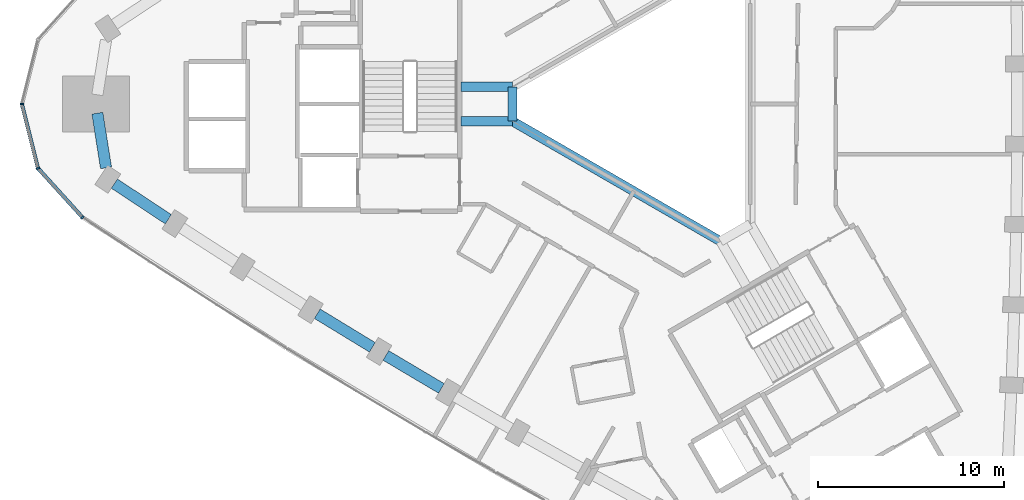
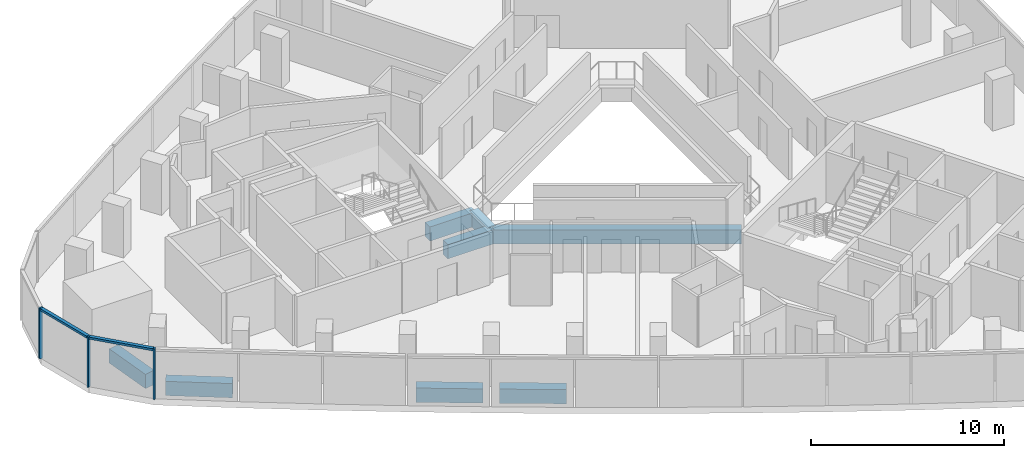
# One storey, part 2 of 12: 8 beams, 5 members, 2 elements without a shape of their own.
"""IFC4 building model written with IfcOpenShell, lengths in metres."""

from ifc_helpers import new_model, si_unit, direction, frame, origin, origin_2d, place, context, subcontext, project, spatial, rectangle, extrude, material, material_profile, profile_set, type_object, element, aggregate, save


model = new_model("IFC4")

# Units and contexts
model_context = context("Model", 3, precision=1e-05, world=origin(), true_north=direction((0.0, 1.0)))
body_context = subcontext(model_context, "Body", "Model", "MODEL_VIEW")
ifc_project = project(units=[si_unit("LENGTHUNIT", "METRE"), si_unit("AREAUNIT", "SQUARE_METRE"), si_unit("VOLUMEUNIT", "CUBIC_METRE"), si_unit("PLANEANGLEUNIT", "RADIAN"), si_unit("MASSUNIT", "GRAM", prefix="KILO")], contexts=[model_context])

# Site, building, storey
site_placement = place(None, origin())
site = spatial("IfcSite", under=ifc_project, at=site_placement, CompositionType="ELEMENT")
building_placement = place(site_placement, origin())
building = spatial("IfcBuilding", under=site, at=building_placement, Name="Tamra Quay Hotel Tower", CompositionType="ELEMENT")
storey_placement = place(building_placement, frame((0.0, 0.0, 143.199951171875)))
storey = spatial("IfcBuildingStorey", under=building, at=storey_placement, Name="L35", CompositionType="ELEMENT", Elevation=143.199951171875)

# Beams
ifc_material_1 = material(Name="Concrete M60", Category="concrete")
ifc_material_profile_1 = material_profile(ifc_material_1, rectangle(XDim=0.5, YDim=0.89990234375, at=origin_2d()), Name="ATRIUM EDGE BEAM RC 500x900")
ifc_profile_set_1 = profile_set([ifc_material_profile_1], Name="Concrete M60")
beam_type_1 = type_object("IfcBeamType", Name="ATRIUM EDGE BEAM RC 500x900", PredefinedType="BEAM", material=ifc_profile_set_1)
beam_1_placement = place(storey_placement, frame((3.199951171875, -7.39013671875, -0.849853515625), z_axis=(-0.866024942741, 0.500000798549, 0.0), x_axis=(-0.500000798549, -0.866024942741, 0.0)))
element("IfcBeam", 1, at=beam_1_placement, inside=storey, type_object=beam_type_1, Name="BM-AB2-L35", PredefinedType="BEAM", context=body_context, shape_type="SweptSolid", body=[
    extrude(rectangle(XDim=0.5, YDim=0.89990234375, at=origin_2d()), origin(), (0.0, 0.0, 1.0), 12.9326171875),
])
beam_2_placement = place(storey_placement, frame((-8.0, -0.923828125, -0.849853515625), z_axis=(0.0, 1.0, 0.0), x_axis=(-1.0, 0.0, 0.0)))
element("IfcBeam", 2, at=beam_2_placement, inside=storey, type_object=beam_type_1, Name="BM-AB3-L35", PredefinedType="BEAM", context=body_context, shape_type="SweptSolid", body=[
    extrude(rectangle(XDim=0.5, YDim=0.89990234375, at=origin_2d()), origin(), (0.0, 0.0, 1.0), 1.84765625),
])
ifc_material_profile_2 = material_profile(ifc_material_1, rectangle(XDim=0.5, YDim=0.89990234375, at=origin_2d()), Name="ATRIUM TIE BEAM RC 500x900")
ifc_profile_set_2 = profile_set([ifc_material_profile_2], Name="Concrete M60")
beam_type_2 = type_object("IfcBeamType", Name="ATRIUM TIE BEAM RC 500x900", PredefinedType="BEAM", material=ifc_profile_set_2)
for number, where, z_axis, x_axis, name in (
    (3, (-8.0, -0.923828125, -0.849853515625), (-1.0, 0.0, 0.0), (0.0, -1.0, 0.0), "BM-TIE-3-L35"),
    (4, (-8.0, 0.923828125, -0.849853515625), (-1.0, 0.0, 0.0), (0.0, -1.0, 0.0), "BM-TIE-4-L35"),
):
    element("IfcBeam", number, at=place(storey_placement, frame(where, z_axis=z_axis, x_axis=x_axis)), inside=storey, type_object=beam_type_2, Name=name, PredefinedType="BEAM", context=body_context, shape_type="SweptSolid", body=[
        extrude(rectangle(XDim=0.5, YDim=0.89990234375, at=origin_2d()), origin(), (0.0, 0.0, 1.0), 2.76220703125),
    ])

# Curtain wall, members
ifc_material_2 = material(Name="Aluminium 6063 anodised dark grey", Category="aluminium")
curtain_wall_type_1 = type_object("IfcCurtainWallType", Name="CW2 CURTAIN WALL", PredefinedType="NOTDEFINED", material=ifc_material_2)
curtain_wall_1_placement = place(storey_placement, origin())
curtain_wall_1 = element("IfcCurtainWall", 5, at=curtain_wall_1_placement, inside=storey, type_object=curtain_wall_type_1, Name="CW2 north-west face L35", PredefinedType="NOTDEFINED")
ifc_material_profile_3 = material_profile(ifc_material_2, rectangle(XDim=0.199951171875, YDim=0.10009765625, at=origin_2d()), Name="MULLION 100X200")
ifc_profile_set_3 = profile_set([ifc_material_profile_3], Name="Aluminium 6063 anodised dark grey")
member_type_1 = type_object("IfcMemberType", Name="MULLION CW2 Z3", PredefinedType="MULLION", material=ifc_profile_set_3)
member_1_placement = place(storey_placement, frame((-34.39990234375, 0.0, 0.0), z_axis=(0.0, 0.0, 1.0), x_axis=(-1.0, 0.0, 0.0)))
member_1 = element("IfcMember", 6, at=member_1_placement, type_object=member_type_1, Name="CW2 mullion L35.NW.14", PredefinedType="MULLION", context=body_context, shape_type="SweptSolid", body=[
    extrude(rectangle(XDim=0.199951171875, YDim=0.10009765625, at=origin_2d()), origin(), (0.0, 0.0, 1.0), 3.199951171875),
])
member_2_placement = place(storey_placement, frame((-33.533935546875, -3.4580078125, 0.0), z_axis=(0.0, 0.0, 1.0), x_axis=(-0.881925145425, -0.47138947577, 0.0)))
member_2 = element("IfcMember", 7, at=member_2_placement, type_object=member_type_1, Name="CW2 mullion L35.NW.15", PredefinedType="MULLION", context=body_context, shape_type="SweptSolid", body=[
    extrude(rectangle(XDim=0.199951171875, YDim=0.10009765625, at=origin_2d()), origin(), (0.0, 0.0, 1.0), 3.199951171875),
])

# Curtain wall, member
curtain_wall_type_2 = type_object("IfcCurtainWallType", Name="CW3 CURTAIN WALL", PredefinedType="NOTDEFINED", material=ifc_material_2)
curtain_wall_2_placement = place(storey_placement, origin())
curtain_wall_2 = element("IfcCurtainWall", 8, at=curtain_wall_2_placement, inside=storey, type_object=curtain_wall_type_2, Name="CW3 south-west face L35", PredefinedType="NOTDEFINED")
ifc_material_profile_4 = material_profile(ifc_material_2, rectangle(XDim=0.199951171875, YDim=0.10009765625, at=origin_2d()), Name="MULLION 100X200")
ifc_profile_set_4 = profile_set([ifc_material_profile_4], Name="Aluminium 6063 anodised dark grey")
member_type_2 = type_object("IfcMemberType", Name="MULLION CW3 Z3", PredefinedType="MULLION", material=ifc_profile_set_4)
member_3_placement = place(storey_placement, frame((-31.139892578125, -6.099365234375, 0.0), z_axis=(0.0, 0.0, 1.0), x_axis=(-0.650989203966, -0.759086988638, 0.0)))
member_3 = element("IfcMember", 9, at=member_3_placement, type_object=member_type_2, Name="CW3 mullion L35.SW.1", PredefinedType="MULLION", context=body_context, shape_type="SweptSolid", body=[
    extrude(rectangle(XDim=0.199951171875, YDim=0.10009765625, at=origin_2d()), origin(), (0.0, 0.0, 1.0), 3.199951171875),
])
aggregate(curtain_wall_2, [member_3])

# Beams
ifc_material_profile_5 = material_profile(ifc_material_1, rectangle(XDim=0.60009765625, YDim=0.89990234375, at=origin_2d()), Name="SPANDREL BEAM RC 600x900")
ifc_profile_set_5 = profile_set([ifc_material_profile_5], Name="Concrete M60")
beam_type_3 = type_object("IfcBeamType", Name="SPANDREL BEAM RC 600x900", PredefinedType="SPANDREL", material=ifc_profile_set_5)
beam_3_placement = place(storey_placement, frame((-30.336181640625, -0.493408203125, -0.849853515625), z_axis=(0.156337236308, -0.987703735208, 0.0), x_axis=(0.987703735208, 0.156337236308, 0.0)))
element("IfcBeam", 10, at=beam_3_placement, inside=storey, type_object=beam_type_3, Name="BM-SP3-025-L35", PredefinedType="SPANDREL", context=body_context, shape_type="SweptSolid", body=[
    extrude(rectangle(XDim=0.60009765625, YDim=0.89990234375, at=origin_2d()), origin(), (0.0, 0.0, 1.0), 2.97802734375),
])
beam_4_placement = place(storey_placement, frame((-29.41796875, -4.28759765625, -0.849853515625), z_axis=(0.834690851507, -0.55071878705, 0.0), x_axis=(0.55071878705, 0.834690851507, 0.0)))
element("IfcBeam", 11, at=beam_4_placement, inside=storey, type_object=beam_type_3, Name="BM-SP3-026-L35", PredefinedType="SPANDREL", context=body_context, shape_type="SweptSolid", body=[
    extrude(rectangle(XDim=0.60009765625, YDim=0.89990234375, at=origin_2d()), origin(), (0.0, 0.0, 1.0), 3.472412109375),
])
beam_5_placement = place(storey_placement, frame((-18.502197265625, -11.287109375, -0.849853515625), z_axis=(0.853835813207, -0.520542413339, 0.0), x_axis=(0.520542413339, 0.853835813207, 0.0)))
element("IfcBeam", 12, at=beam_5_placement, inside=storey, type_object=beam_type_3, Name="BM-SP3-029-L35", PredefinedType="SPANDREL", context=body_context, shape_type="SweptSolid", body=[
    extrude(rectangle(XDim=0.60009765625, YDim=0.89990234375, at=origin_2d()), origin(), (0.0, 0.0, 1.0), 3.47216796875),
])
beam_6_placement = place(storey_placement, frame((-14.80908203125, -13.53271484375, -0.849853515625), z_axis=(0.859988767784, -0.510312962098, 0.0), x_axis=(0.510312962098, 0.859988767784, 0.0)))
element("IfcBeam", 13, at=beam_6_placement, inside=storey, type_object=beam_type_3, Name="BM-SP3-030-L35", PredefinedType="SPANDREL", context=body_context, shape_type="SweptSolid", body=[
    extrude(rectangle(XDim=0.60009765625, YDim=0.89990234375, at=origin_2d()), origin(), (0.0, 0.0, 1.0), 3.472900390625),
])

# Member
ifc_material_profile_6 = material_profile(ifc_material_2, rectangle(XDim=0.199951171875, YDim=0.139892578125, at=origin_2d()), Name="TRANSOM 200X140")
ifc_profile_set_6 = profile_set([ifc_material_profile_6], Name="Aluminium 6063 anodised dark grey")
member_type_3 = type_object("IfcMemberType", Name="TRANSOM CW2 Z3", PredefinedType="USERDEFINED", material=ifc_profile_set_6)
member_4_placement = place(storey_placement, frame((-34.387939453125, -0.048583984375, 3.130126953125), z_axis=(0.243032991535, -0.970018023042, 0.0), x_axis=(0.970018023042, 0.243032991535, 0.0)))
member_4 = element("IfcMember", 14, at=member_4_placement, type_object=member_type_3, Name="CW2 transom L35.NW.14", ObjectType="TRANSOM", PredefinedType="USERDEFINED", context=body_context, shape_type="SweptSolid", body=[
    extrude(rectangle(XDim=0.199951171875, YDim=0.139892578125, at=origin_2d()), origin(), (0.0, 0.0, 1.0), 3.464599609375),
])

member_5_placement = place(storey_placement, frame((-33.500244140625, -3.4951171875, 3.130126953125), z_axis=(0.671553275013, -0.740956273217, 0.0), x_axis=(0.740956273217, 0.671553275013, 0.0)))
member_5 = element("IfcMember", 15, at=member_5_placement, type_object=member_type_3, Name="CW2 transom L35.NW.15", ObjectType="TRANSOM", PredefinedType="USERDEFINED", context=body_context, shape_type="SweptSolid", body=[
    extrude(rectangle(XDim=0.199951171875, YDim=0.139892578125, at=origin_2d()), origin(), (0.0, 0.0, 1.0), 3.46484375),
])

aggregate(curtain_wall_1, [member_1, member_4, member_2, member_5])

save(model, "model.ifc")
